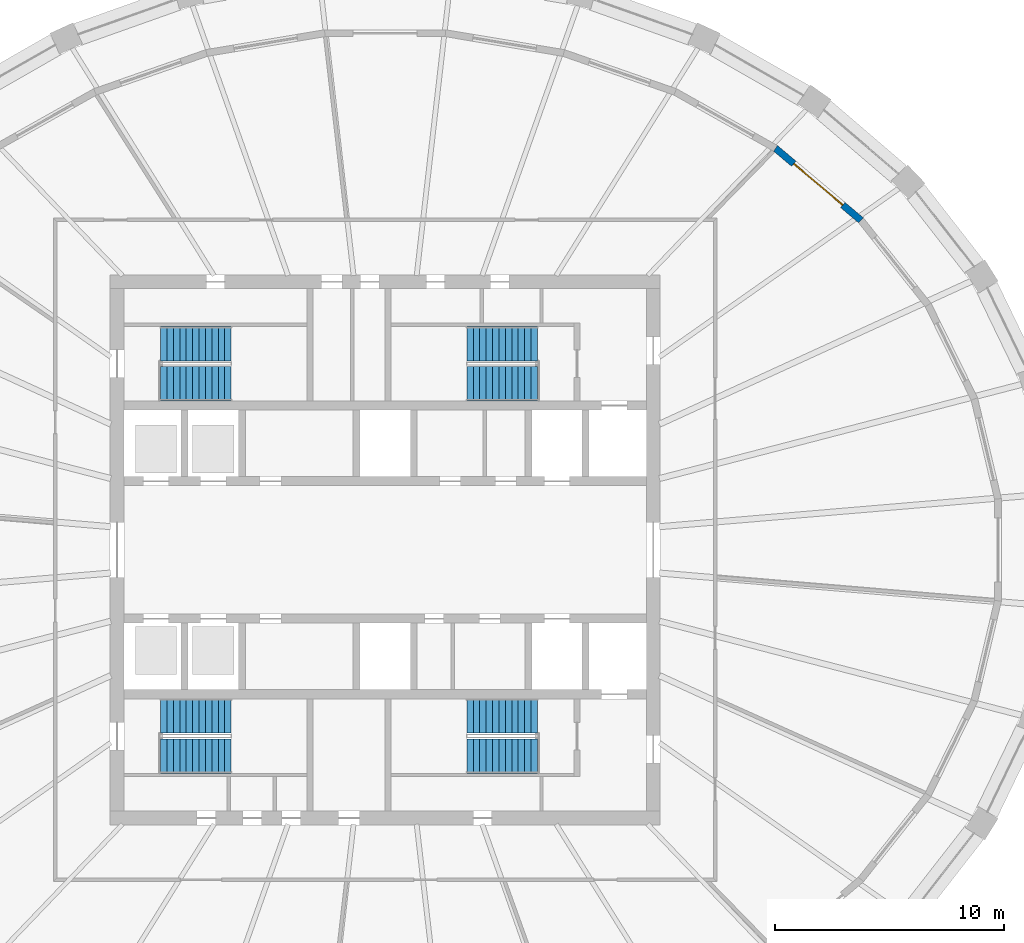
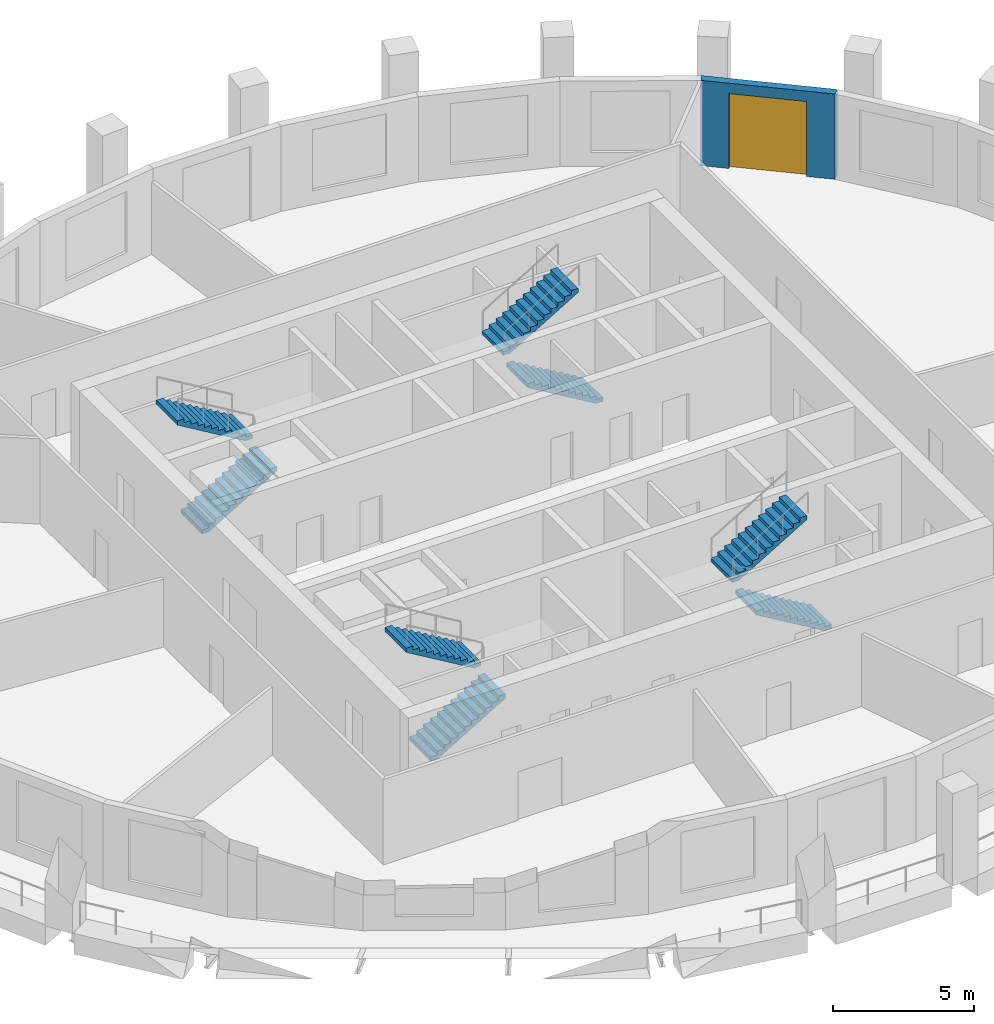
# One storey, part 7 of 10: 8 stair flights, 1 door, 1 wall, 1 opening, 4 elements without a shape of their own.
"""IFC4 building model written with IfcOpenShell, lengths in metres."""

from ifc_helpers import new_model, si_unit, direction, frame, frame_2d, origin, place, context, subcontext, project, spatial, polyline, rectangle, outline, extrude, material, layer, layer_set, type_object, element, fill, aggregate, save


model = new_model("IFC4")

# Units and contexts
model_context = context("Model", 3, precision=1e-05, world=origin(), true_north=direction((0.0, 1.0)))
body_context = subcontext(model_context, "Body", "Model", "MODEL_VIEW")
ifc_project = project(units=[si_unit("LENGTHUNIT", "METRE"), si_unit("AREAUNIT", "SQUARE_METRE"), si_unit("VOLUMEUNIT", "CUBIC_METRE"), si_unit("PLANEANGLEUNIT", "RADIAN"), si_unit("MASSUNIT", "GRAM", prefix="KILO")], contexts=[model_context])

# Site, building, storey
site_placement = place(None, origin())
site = spatial("IfcSite", under=ifc_project, at=site_placement, CompositionType="ELEMENT")
building_placement = place(site_placement, origin())
building = spatial("IfcBuilding", under=site, at=building_placement, Name="Halqa Exchange Tower", CompositionType="ELEMENT")
storey_placement = place(building_placement, frame((0.0, 0.0, 280.300048828125)))
storey = spatial("IfcBuildingStorey", under=building, at=storey_placement, Name="L65", CompositionType="ELEMENT", Elevation=280.300048828125)

# Wall, opening, door
ifc_material_1 = material(Name="Limestone cladding", Category="masonry")
ifc_layer_1 = layer(ifc_material_1, 0.0400390625)
ifc_material_2 = material(Name="Ventilated cavity")
ifc_layer_2 = layer(ifc_material_2, 0.030029296875, ventilated=True)
ifc_material_3 = material(Name="Mineral wool insulation")
ifc_layer_3 = layer(ifc_material_3, 0.10009765625)
ifc_material_4 = material(Name="Concrete C30/37", Category="concrete")
ifc_layer_4 = layer(ifc_material_4, 0.10009765625)
ifc_material_5 = material(Name="Internal plaster")
ifc_layer_5 = layer(ifc_material_5, 0.030029296875)
ifc_layer_set = layer_set([ifc_layer_1, ifc_layer_2, ifc_layer_3, ifc_layer_4, ifc_layer_5], Name="Stone-faced insulated wall 300")
wall_type = type_object("IfcWallType", Name="Stone-faced insulated wall 300", PredefinedType="STANDARD", material=ifc_layer_set)
wall_placement = place(storey_placement, frame((20.767822265625, 14.384033203125, 0.0), z_axis=(0.0, 0.0, 1.0), x_axis=(-0.764876116592, 0.644177402792, 0.0)))
wall = element("IfcWall", 1, at=wall_placement, inside=storey, type_object=wall_type, Name="Glass-line wall 4", PredefinedType="STANDARD", context=body_context, shape_type="SweptSolid", body=[
    extrude(outline(polyline([(-0.01513671875, -0.14990234375), (4.886962890625, -0.14990234375), (4.858642578125, 0.14990234375), (0.01513671875, 0.14990234375), (-0.01513671875, -0.14990234375)])), origin(), (0.0, 0.0, 1.0), 3.699951171875),
])
opening_placement = place(wall_placement, frame((1.036376953125, 0.0, 0.0)))
opening = element("IfcOpeningElement", 2, at=opening_placement, cuts=wall, Name="Opening LG-F4-01", PredefinedType="OPENING", context=body_context, shape_type="SweptSolid", body=[
    extrude(rectangle(XDim=2.800048828125, YDim=3.25, at=frame_2d((1.39990234375, 1.625))), frame((0.0, 0.162109375, 0.0), z_axis=(0.0, -1.0, 0.0), x_axis=(1.0, 0.0, 0.0)), (0.0, 0.0, 1.0), 0.323974609375),
])
ifc_material_6 = material(Name="Clear low-emissivity glass in aluminium frame", Category="aluminium")
door_type = type_object("IfcDoorType", Name="Glazed sliding loggia door 2800 x 3250", OperationType="DOUBLE_DOOR_SLIDING", PredefinedType="DOOR", material=ifc_material_6)
door_placement = place(opening_placement, origin())
door = element("IfcDoor", 3, at=door_placement, inside=storey, type_object=door_type, Name="Loggia door 1", OperationType="DOUBLE_DOOR_SLIDING", OverallHeight=3.25, OverallWidth=2.800048828125, PredefinedType="DOOR", context=body_context, shape_type="SweptSolid", body=[
    extrude(rectangle(XDim=2.800048828125, YDim=3.25, at=frame_2d((1.39990234375, 1.625))), frame((0.0, 0.02490234375, 0.0), z_axis=(0.0, -1.0, 0.0), x_axis=(1.0, 0.0, 0.0)), (0.0, 0.0, 1.0), 0.050048828125),
])
fill(opening, door)

# Stair, stair flights
stair_type = type_object("IfcStairType", Name="Exit stair 1500 wide", PredefinedType="HALF_TURN_STAIR", material=ifc_material_4)
stair_1_placement = place(storey_placement, origin())
stair_1 = element("IfcStair", 4, at=stair_1_placement, inside=storey, type_object=stair_type, Name="Exit stair ST1", PredefinedType="HALF_TURN_STAIR")
stair_flight_type = type_object("IfcStairFlightType", Name="Stair flight 1500 wide", PredefinedType="STRAIGHT", material=ifc_material_4)
stair_flight_1_placement = place(storey_placement, frame((-9.800048828125, 7.25, 0.0), z_axis=(0.0, 0.0, 1.0), x_axis=(1.0, 0.0, 0.0)))
stair_flight_1 = element("IfcStairFlight", 5, at=stair_flight_1_placement, type_object=stair_flight_type, Name="ST1 flight 1", NumberOfRisers=12, NumberOfTreads=11, PredefinedType="STRAIGHT", RiserHeight=0.166666667, TreadLength=0.28, context=body_context, shape_type="SweptSolid", body=[
    extrude(outline(polyline([(0.0, 0.0), (0.0, 0.166748046875), (0.280029296875, 0.166748046875), (0.280029296875, 0.333251953125), (0.56005859375, 0.333251953125), (0.56005859375, 0.5), (0.840087890625, 0.5), (0.840087890625, 0.666748046875), (1.1201171875, 0.666748046875), (1.1201171875, 0.833251953125), (1.39990234375, 0.833251953125), (1.39990234375, 1.0), (1.679931640625, 1.0), (1.679931640625, 1.166748046875), (1.9599609375, 1.166748046875), (1.9599609375, 1.333251953125), (2.239990234375, 1.333251953125), (2.239990234375, 1.5), (2.52001953125, 1.5), (2.52001953125, 1.666748046875), (2.800048828125, 1.666748046875), (2.800048828125, 1.833251953125), (3.080078125, 1.833251953125), (3.080078125, 2.0), (3.080078125, 1.658935546875), (0.29296875, 0.0), (0.0, 0.0)])), frame((0.0, 0.75, 0.0), z_axis=(0.0, -1.0, 0.0), x_axis=(1.0, 0.0, 0.0)), (0.0, 0.0, 1.0), 1.5),
])
stair_flight_2_placement = place(storey_placement, frame((-6.719970703125, 9.0, 2.0), z_axis=(0.0, 0.0, 1.0), x_axis=(-1.0, 0.0, 0.0)))
stair_flight_2 = element("IfcStairFlight", 6, at=stair_flight_2_placement, type_object=stair_flight_type, Name="ST1 flight 2", NumberOfRisers=12, NumberOfTreads=11, PredefinedType="STRAIGHT", RiserHeight=0.166666667, TreadLength=0.28, context=body_context, shape_type="SweptSolid", body=[
    extrude(outline(polyline([(0.0, 0.0), (0.0, 0.166748046875), (0.280029296875, 0.166748046875), (0.280029296875, 0.333251953125), (0.56005859375, 0.333251953125), (0.56005859375, 0.5), (0.840087890625, 0.5), (0.840087890625, 0.666748046875), (1.1201171875, 0.666748046875), (1.1201171875, 0.833251953125), (1.39990234375, 0.833251953125), (1.39990234375, 1.0), (1.679931640625, 1.0), (1.679931640625, 1.166748046875), (1.9599609375, 1.166748046875), (1.9599609375, 1.333251953125), (2.239990234375, 1.333251953125), (2.239990234375, 1.5), (2.52001953125, 1.5), (2.52001953125, 1.666748046875), (2.800048828125, 1.666748046875), (2.800048828125, 1.833251953125), (3.080078125, 1.833251953125), (3.080078125, 2.0), (3.080078125, 1.658935546875), (0.29296875, 0.0), (0.0, 0.0)])), frame((0.0, 0.75, 0.0), z_axis=(0.0, -1.0, 0.0), x_axis=(1.0, 0.0, 0.0)), (0.0, 0.0, 1.0), 1.5),
])
aggregate(stair_1, [stair_flight_1, stair_flight_2])

stair_2_placement = place(storey_placement, origin())
stair_2 = element("IfcStair", 7, at=stair_2_placement, inside=storey, type_object=stair_type, Name="Exit stair ST2", PredefinedType="HALF_TURN_STAIR")
stair_flight_3_placement = place(storey_placement, frame((6.64990234375, 7.25, 0.0), z_axis=(0.0, 0.0, 1.0), x_axis=(-1.0, 0.0, 0.0)))
stair_flight_3 = element("IfcStairFlight", 8, at=stair_flight_3_placement, type_object=stair_flight_type, Name="ST2 flight 1", NumberOfRisers=12, NumberOfTreads=11, PredefinedType="STRAIGHT", RiserHeight=0.166666667, TreadLength=0.28, context=body_context, shape_type="SweptSolid", body=[
    extrude(outline(polyline([(0.0, 0.0), (0.0, 0.166748046875), (0.280029296875, 0.166748046875), (0.280029296875, 0.333251953125), (0.56005859375, 0.333251953125), (0.56005859375, 0.5), (0.840087890625, 0.5), (0.840087890625, 0.666748046875), (1.1201171875, 0.666748046875), (1.1201171875, 0.833251953125), (1.39990234375, 0.833251953125), (1.39990234375, 1.0), (1.679931640625, 1.0), (1.679931640625, 1.166748046875), (1.9599609375, 1.166748046875), (1.9599609375, 1.333251953125), (2.239990234375, 1.333251953125), (2.239990234375, 1.5), (2.52001953125, 1.5), (2.52001953125, 1.666748046875), (2.800048828125, 1.666748046875), (2.800048828125, 1.833251953125), (3.080078125, 1.833251953125), (3.080078125, 2.0), (3.080078125, 1.658935546875), (0.29296875, 0.0), (0.0, 0.0)])), frame((0.0, 0.75, 0.0), z_axis=(0.0, -1.0, 0.0), x_axis=(1.0, 0.0, 0.0)), (0.0, 0.0, 1.0), 1.5),
])
stair_flight_4_placement = place(storey_placement, frame((3.570068359375, 9.0, 2.0), z_axis=(0.0, 0.0, 1.0), x_axis=(1.0, 0.0, 0.0)))
stair_flight_4 = element("IfcStairFlight", 9, at=stair_flight_4_placement, type_object=stair_flight_type, Name="ST2 flight 2", NumberOfRisers=12, NumberOfTreads=11, PredefinedType="STRAIGHT", RiserHeight=0.166666667, TreadLength=0.28, context=body_context, shape_type="SweptSolid", body=[
    extrude(outline(polyline([(0.0, 0.0), (0.0, 0.166748046875), (0.280029296875, 0.166748046875), (0.280029296875, 0.333251953125), (0.56005859375, 0.333251953125), (0.56005859375, 0.5), (0.840087890625, 0.5), (0.840087890625, 0.666748046875), (1.1201171875, 0.666748046875), (1.1201171875, 0.833251953125), (1.39990234375, 0.833251953125), (1.39990234375, 1.0), (1.679931640625, 1.0), (1.679931640625, 1.166748046875), (1.9599609375, 1.166748046875), (1.9599609375, 1.333251953125), (2.239990234375, 1.333251953125), (2.239990234375, 1.5), (2.52001953125, 1.5), (2.52001953125, 1.666748046875), (2.800048828125, 1.666748046875), (2.800048828125, 1.833251953125), (3.080078125, 1.833251953125), (3.080078125, 2.0), (3.080078125, 1.658935546875), (0.29296875, 0.0), (0.0, 0.0)])), frame((0.0, 0.75, 0.0), z_axis=(0.0, -1.0, 0.0), x_axis=(1.0, 0.0, 0.0)), (0.0, 0.0, 1.0), 1.5),
])
aggregate(stair_2, [stair_flight_3, stair_flight_4])

stair_3_placement = place(storey_placement, origin())
stair_3 = element("IfcStair", 10, at=stair_3_placement, inside=storey, type_object=stair_type, Name="Exit stair ST3", PredefinedType="HALF_TURN_STAIR")
stair_flight_5_placement = place(storey_placement, frame((-9.800048828125, -9.0, 0.0), z_axis=(0.0, 0.0, 1.0), x_axis=(1.0, 0.0, 0.0)))
stair_flight_5 = element("IfcStairFlight", 11, at=stair_flight_5_placement, type_object=stair_flight_type, Name="ST3 flight 1", NumberOfRisers=12, NumberOfTreads=11, PredefinedType="STRAIGHT", RiserHeight=0.166666667, TreadLength=0.28, context=body_context, shape_type="SweptSolid", body=[
    extrude(outline(polyline([(0.0, 0.0), (0.0, 0.166748046875), (0.280029296875, 0.166748046875), (0.280029296875, 0.333251953125), (0.56005859375, 0.333251953125), (0.56005859375, 0.5), (0.840087890625, 0.5), (0.840087890625, 0.666748046875), (1.1201171875, 0.666748046875), (1.1201171875, 0.833251953125), (1.39990234375, 0.833251953125), (1.39990234375, 1.0), (1.679931640625, 1.0), (1.679931640625, 1.166748046875), (1.9599609375, 1.166748046875), (1.9599609375, 1.333251953125), (2.239990234375, 1.333251953125), (2.239990234375, 1.5), (2.52001953125, 1.5), (2.52001953125, 1.666748046875), (2.800048828125, 1.666748046875), (2.800048828125, 1.833251953125), (3.080078125, 1.833251953125), (3.080078125, 2.0), (3.080078125, 1.658935546875), (0.29296875, 0.0), (0.0, 0.0)])), frame((0.0, 0.75, 0.0), z_axis=(0.0, -1.0, 0.0), x_axis=(1.0, 0.0, 0.0)), (0.0, 0.0, 1.0), 1.5),
])
stair_flight_6_placement = place(storey_placement, frame((-6.719970703125, -7.25, 2.0), z_axis=(0.0, 0.0, 1.0), x_axis=(-1.0, 0.0, 0.0)))
stair_flight_6 = element("IfcStairFlight", 12, at=stair_flight_6_placement, type_object=stair_flight_type, Name="ST3 flight 2", NumberOfRisers=12, NumberOfTreads=11, PredefinedType="STRAIGHT", RiserHeight=0.166666667, TreadLength=0.28, context=body_context, shape_type="SweptSolid", body=[
    extrude(outline(polyline([(0.0, 0.0), (0.0, 0.166748046875), (0.280029296875, 0.166748046875), (0.280029296875, 0.333251953125), (0.56005859375, 0.333251953125), (0.56005859375, 0.5), (0.840087890625, 0.5), (0.840087890625, 0.666748046875), (1.1201171875, 0.666748046875), (1.1201171875, 0.833251953125), (1.39990234375, 0.833251953125), (1.39990234375, 1.0), (1.679931640625, 1.0), (1.679931640625, 1.166748046875), (1.9599609375, 1.166748046875), (1.9599609375, 1.333251953125), (2.239990234375, 1.333251953125), (2.239990234375, 1.5), (2.52001953125, 1.5), (2.52001953125, 1.666748046875), (2.800048828125, 1.666748046875), (2.800048828125, 1.833251953125), (3.080078125, 1.833251953125), (3.080078125, 2.0), (3.080078125, 1.658935546875), (0.29296875, 0.0), (0.0, 0.0)])), frame((0.0, 0.75, 0.0), z_axis=(0.0, -1.0, 0.0), x_axis=(1.0, 0.0, 0.0)), (0.0, 0.0, 1.0), 1.5),
])
aggregate(stair_3, [stair_flight_5, stair_flight_6])

stair_4_placement = place(storey_placement, origin())
stair_4 = element("IfcStair", 13, at=stair_4_placement, inside=storey, type_object=stair_type, Name="Exit stair ST4", PredefinedType="HALF_TURN_STAIR")
stair_flight_7_placement = place(storey_placement, frame((6.64990234375, -9.0, 0.0), z_axis=(0.0, 0.0, 1.0), x_axis=(-1.0, 0.0, 0.0)))
stair_flight_7 = element("IfcStairFlight", 14, at=stair_flight_7_placement, type_object=stair_flight_type, Name="ST4 flight 1", NumberOfRisers=12, NumberOfTreads=11, PredefinedType="STRAIGHT", RiserHeight=0.166666667, TreadLength=0.28, context=body_context, shape_type="SweptSolid", body=[
    extrude(outline(polyline([(0.0, 0.0), (0.0, 0.166748046875), (0.280029296875, 0.166748046875), (0.280029296875, 0.333251953125), (0.56005859375, 0.333251953125), (0.56005859375, 0.5), (0.840087890625, 0.5), (0.840087890625, 0.666748046875), (1.1201171875, 0.666748046875), (1.1201171875, 0.833251953125), (1.39990234375, 0.833251953125), (1.39990234375, 1.0), (1.679931640625, 1.0), (1.679931640625, 1.166748046875), (1.9599609375, 1.166748046875), (1.9599609375, 1.333251953125), (2.239990234375, 1.333251953125), (2.239990234375, 1.5), (2.52001953125, 1.5), (2.52001953125, 1.666748046875), (2.800048828125, 1.666748046875), (2.800048828125, 1.833251953125), (3.080078125, 1.833251953125), (3.080078125, 2.0), (3.080078125, 1.658935546875), (0.29296875, 0.0), (0.0, 0.0)])), frame((0.0, 0.75, 0.0), z_axis=(0.0, -1.0, 0.0), x_axis=(1.0, 0.0, 0.0)), (0.0, 0.0, 1.0), 1.5),
])
stair_flight_8_placement = place(storey_placement, frame((3.570068359375, -7.25, 2.0), z_axis=(0.0, 0.0, 1.0), x_axis=(1.0, 0.0, 0.0)))
stair_flight_8 = element("IfcStairFlight", 15, at=stair_flight_8_placement, type_object=stair_flight_type, Name="ST4 flight 2", NumberOfRisers=12, NumberOfTreads=11, PredefinedType="STRAIGHT", RiserHeight=0.166666667, TreadLength=0.28, context=body_context, shape_type="SweptSolid", body=[
    extrude(outline(polyline([(0.0, 0.0), (0.0, 0.166748046875), (0.280029296875, 0.166748046875), (0.280029296875, 0.333251953125), (0.56005859375, 0.333251953125), (0.56005859375, 0.5), (0.840087890625, 0.5), (0.840087890625, 0.666748046875), (1.1201171875, 0.666748046875), (1.1201171875, 0.833251953125), (1.39990234375, 0.833251953125), (1.39990234375, 1.0), (1.679931640625, 1.0), (1.679931640625, 1.166748046875), (1.9599609375, 1.166748046875), (1.9599609375, 1.333251953125), (2.239990234375, 1.333251953125), (2.239990234375, 1.5), (2.52001953125, 1.5), (2.52001953125, 1.666748046875), (2.800048828125, 1.666748046875), (2.800048828125, 1.833251953125), (3.080078125, 1.833251953125), (3.080078125, 2.0), (3.080078125, 1.658935546875), (0.29296875, 0.0), (0.0, 0.0)])), frame((0.0, 0.75, 0.0), z_axis=(0.0, -1.0, 0.0), x_axis=(1.0, 0.0, 0.0)), (0.0, 0.0, 1.0), 1.5),
])
aggregate(stair_4, [stair_flight_7, stair_flight_8])

save(model, "model.ifc")
